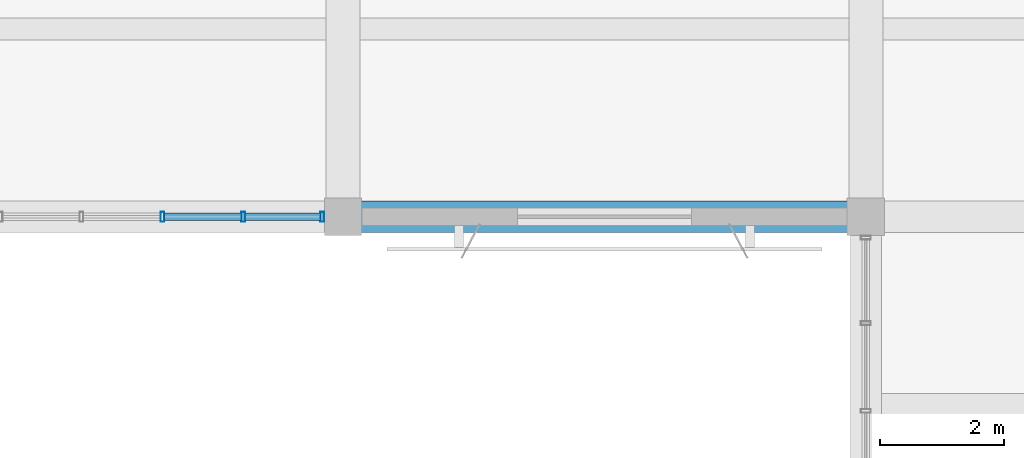
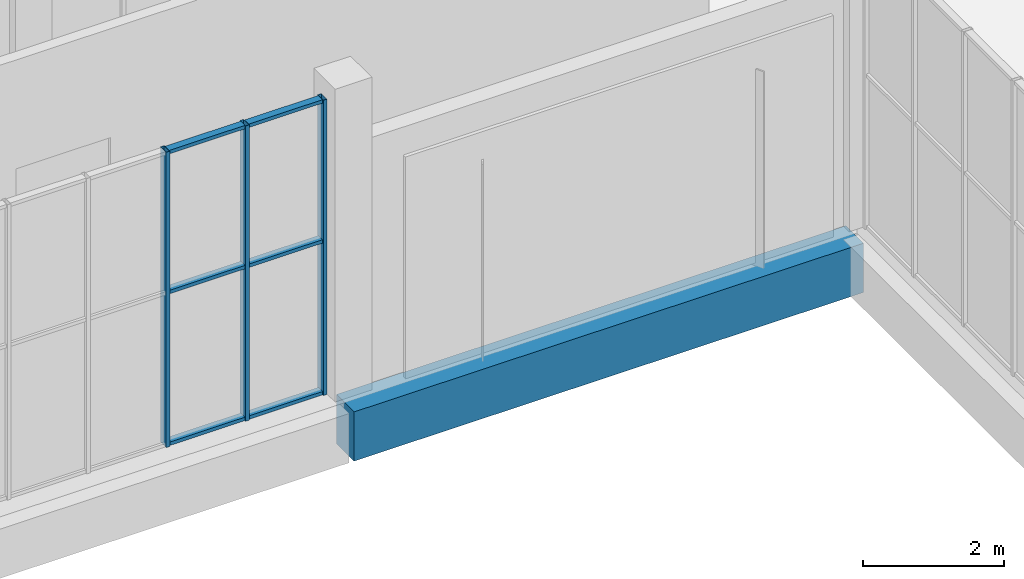
# One storey, part 60 of 132: 9 members, 1 beam, 1 element without a shape of its own.
"""IFC4 building model written with IfcOpenShell, lengths in metres."""

from ifc_helpers import new_model, si_unit, direction, frame, origin, origin_2d, place, context, subcontext, project, spatial, rectangle, hollow_rectangle, extrude, material, material_profile, profile_set, type_object, element, aggregate, save


model = new_model("IFC4")

# Units and contexts
model_context = context("Model", 3, precision=1e-05, world=origin(), true_north=direction((0.0, 1.0)))
body_context = subcontext(model_context, "Body", "Model", "MODEL_VIEW")
ifc_project = project(units=[si_unit("LENGTHUNIT", "METRE"), si_unit("AREAUNIT", "SQUARE_METRE"), si_unit("VOLUMEUNIT", "CUBIC_METRE"), si_unit("PLANEANGLEUNIT", "RADIAN"), si_unit("MASSUNIT", "GRAM", prefix="KILO")], contexts=[model_context])

# Site, building, storey
site_placement = place(None, origin())
site = spatial("IfcSite", under=ifc_project, at=site_placement, CompositionType="ELEMENT")
building_placement = place(site_placement, origin())
building = spatial("IfcBuilding", under=site, at=building_placement, Name="Khurvash Pelagic Aquarium", CompositionType="ELEMENT")
storey_placement = place(building_placement, frame((0.0, 0.0, 5.39990234375)))
storey = spatial("IfcBuildingStorey", under=building, at=storey_placement, Name="L01", CompositionType="ELEMENT", Elevation=5.39990234375)

# Curtain wall, members
ifc_material_1 = material(Name="Anodised aluminium and low-E laminated glass", Category="aluminium")
curtain_wall_type = type_object("IfcCurtainWallType", Name="CW-05", PredefinedType="USERDEFINED", material=ifc_material_1)
curtain_wall_placement = place(storey_placement, origin())
curtain_wall = element("IfcCurtainWall", 1, at=curtain_wall_placement, inside=storey, type_object=curtain_wall_type, Name="L01 Facade Unitised Curtain Wall CW-05 0135", ObjectType="UNITISED CURTAIN WALL", PredefinedType="USERDEFINED")
ifc_material_2 = material(Name="Extruded aluminium AW-6063-T6", Category="aluminium")
ifc_material_profile_1 = material_profile(ifc_material_2, hollow_rectangle(XDim=0.06005859375, YDim=0.159912109375, WallThickness=0.00390625, at=origin_2d()), Name="CWM60X160X4")
ifc_profile_set_1 = profile_set([ifc_material_profile_1], Name="Extruded aluminium AW-6063-T6")
member_type_1 = type_object("IfcMemberType", Name="CM-02", PredefinedType="MULLION", material=ifc_profile_set_1)
member_1_placement = place(storey_placement, frame((47.498291015625, 93.10009765625, 0.0), z_axis=(0.0, 0.0, 1.0), x_axis=(1.0, 0.0, 0.0)))
member_1 = element("IfcMember", 2, at=member_1_placement, type_object=member_type_1, Name="CW-05 mullion 5", PredefinedType="MULLION", context=body_context, shape_type="SweptSolid", body=[
    extrude(hollow_rectangle(XDim=0.06005859375, YDim=0.159912109375, WallThickness=0.00390625, at=origin_2d()), origin(), (0.0, 0.0, 1.0), 5.10009765625),
])
member_2_placement = place(storey_placement, frame((48.796630859375, 93.10009765625, 0.0), z_axis=(0.0, 0.0, 1.0), x_axis=(1.0, 0.0, 0.0)))
member_2 = element("IfcMember", 3, at=member_2_placement, type_object=member_type_1, Name="CW-05 mullion 6", PredefinedType="MULLION", context=body_context, shape_type="SweptSolid", body=[
    extrude(hollow_rectangle(XDim=0.06005859375, YDim=0.159912109375, WallThickness=0.00390625, at=origin_2d()), origin(), (0.0, 0.0, 1.0), 5.10009765625),
])
member_3_placement = place(storey_placement, frame((50.06494140625, 93.10009765625, 0.0), z_axis=(0.0, 0.0, 1.0), x_axis=(1.0, 0.0, 0.0)))
member_3 = element("IfcMember", 4, at=member_3_placement, type_object=member_type_1, Name="CW-05 mullion 7", PredefinedType="MULLION", context=body_context, shape_type="SweptSolid", body=[
    extrude(hollow_rectangle(XDim=0.06005859375, YDim=0.159912109375, WallThickness=0.00390625, at=origin_2d()), origin(), (0.0, 0.0, 1.0), 5.10009765625),
])
ifc_material_profile_2 = material_profile(ifc_material_2, hollow_rectangle(XDim=0.1201171875, YDim=0.06005859375, WallThickness=0.00390625, at=origin_2d()), Name="CWT120X60X4")
ifc_profile_set_2 = profile_set([ifc_material_profile_2], Name="Extruded aluminium AW-6063-T6")
member_type_2 = type_object("IfcMemberType", Name="CT-02", PredefinedType="USERDEFINED", material=ifc_profile_set_2)
member_4_placement = place(storey_placement, frame((47.5283203125, 93.10009765625, 0.030029296875), z_axis=(1.0, 0.0, 0.0), x_axis=(0.0, 1.0, 0.0)))
member_4 = element("IfcMember", 5, at=member_4_placement, type_object=member_type_2, Name="CW-05 transom 5.1", ObjectType="TRANSOM", PredefinedType="USERDEFINED", context=body_context, shape_type="SweptSolid", body=[
    extrude(hollow_rectangle(XDim=0.1201171875, YDim=0.06005859375, WallThickness=0.00390625, at=origin_2d()), origin(), (0.0, 0.0, 1.0), 1.23828125),
])
member_5_placement = place(storey_placement, frame((47.5283203125, 93.10009765625, 2.652099609375), z_axis=(1.0, 0.0, 0.0), x_axis=(0.0, 1.0, 0.0)))
member_5 = element("IfcMember", 6, at=member_5_placement, type_object=member_type_2, Name="CW-05 transom 5.2", ObjectType="TRANSOM", PredefinedType="USERDEFINED", context=body_context, shape_type="SweptSolid", body=[
    extrude(hollow_rectangle(XDim=0.1201171875, YDim=0.06005859375, WallThickness=0.00390625, at=origin_2d()), origin(), (0.0, 0.0, 1.0), 1.23828125),
])
member_6_placement = place(storey_placement, frame((47.5283203125, 93.10009765625, 5.070068359375), z_axis=(1.0, 0.0, 0.0), x_axis=(0.0, 1.0, 0.0)))
member_6 = element("IfcMember", 7, at=member_6_placement, type_object=member_type_2, Name="CW-05 transom 5.3", ObjectType="TRANSOM", PredefinedType="USERDEFINED", context=body_context, shape_type="SweptSolid", body=[
    extrude(hollow_rectangle(XDim=0.1201171875, YDim=0.06005859375, WallThickness=0.00390625, at=origin_2d()), origin(), (0.0, 0.0, 1.0), 1.23828125),
])
member_7_placement = place(storey_placement, frame((48.82666015625, 93.10009765625, 0.030029296875), z_axis=(1.0, 0.0, 0.0), x_axis=(0.0, 1.0, 0.0)))
member_7 = element("IfcMember", 8, at=member_7_placement, type_object=member_type_2, Name="CW-05 transom 6.1", ObjectType="TRANSOM", PredefinedType="USERDEFINED", context=body_context, shape_type="SweptSolid", body=[
    extrude(hollow_rectangle(XDim=0.1201171875, YDim=0.06005859375, WallThickness=0.00390625, at=origin_2d()), origin(), (0.0, 0.0, 1.0), 1.208251953125),
])
member_8_placement = place(storey_placement, frame((48.82666015625, 93.10009765625, 2.652099609375), z_axis=(1.0, 0.0, 0.0), x_axis=(0.0, 1.0, 0.0)))
member_8 = element("IfcMember", 9, at=member_8_placement, type_object=member_type_2, Name="CW-05 transom 6.2", ObjectType="TRANSOM", PredefinedType="USERDEFINED", context=body_context, shape_type="SweptSolid", body=[
    extrude(hollow_rectangle(XDim=0.1201171875, YDim=0.06005859375, WallThickness=0.00390625, at=origin_2d()), origin(), (0.0, 0.0, 1.0), 1.208251953125),
])
member_9_placement = place(storey_placement, frame((48.82666015625, 93.10009765625, 5.070068359375), z_axis=(1.0, 0.0, 0.0), x_axis=(0.0, 1.0, 0.0)))
member_9 = element("IfcMember", 10, at=member_9_placement, type_object=member_type_2, Name="CW-05 transom 6.3", ObjectType="TRANSOM", PredefinedType="USERDEFINED", context=body_context, shape_type="SweptSolid", body=[
    extrude(hollow_rectangle(XDim=0.1201171875, YDim=0.06005859375, WallThickness=0.00390625, at=origin_2d()), origin(), (0.0, 0.0, 1.0), 1.208251953125),
])
aggregate(curtain_wall, [member_1, member_2, member_3, member_4, member_5, member_6, member_7, member_8, member_9])

# Beam
ifc_material_3 = material(Name="Concrete C40/50", Category="concrete")
ifc_material_profile_3 = material_profile(ifc_material_3, rectangle(XDim=0.5, YDim=0.85009765625, at=origin_2d()), Name="RC500X850")
ifc_profile_set_3 = profile_set([ifc_material_profile_3], Name="Concrete C40/50")
beam_type = type_object("IfcBeamType", Name="SEB-03", PredefinedType="SPANDREL", material=ifc_profile_set_3)
beam_placement = place(storey_placement, frame((50.43994140625, 93.10009765625, -0.744873046875), z_axis=(1.0, 0.0, 0.0), x_axis=(0.0, 1.0, 0.0)))
element("IfcBeam", 11, at=beam_placement, inside=storey, type_object=beam_type, Name="L01 Primary Girder SEB-03 00329", PredefinedType="SPANDREL", context=body_context, shape_type="SweptSolid", body=[
    extrude(rectangle(XDim=0.5, YDim=0.85009765625, at=origin_2d()), origin(), (0.0, 0.0, 1.0), 8.320068359375),
])

save(model, "model.ifc")
